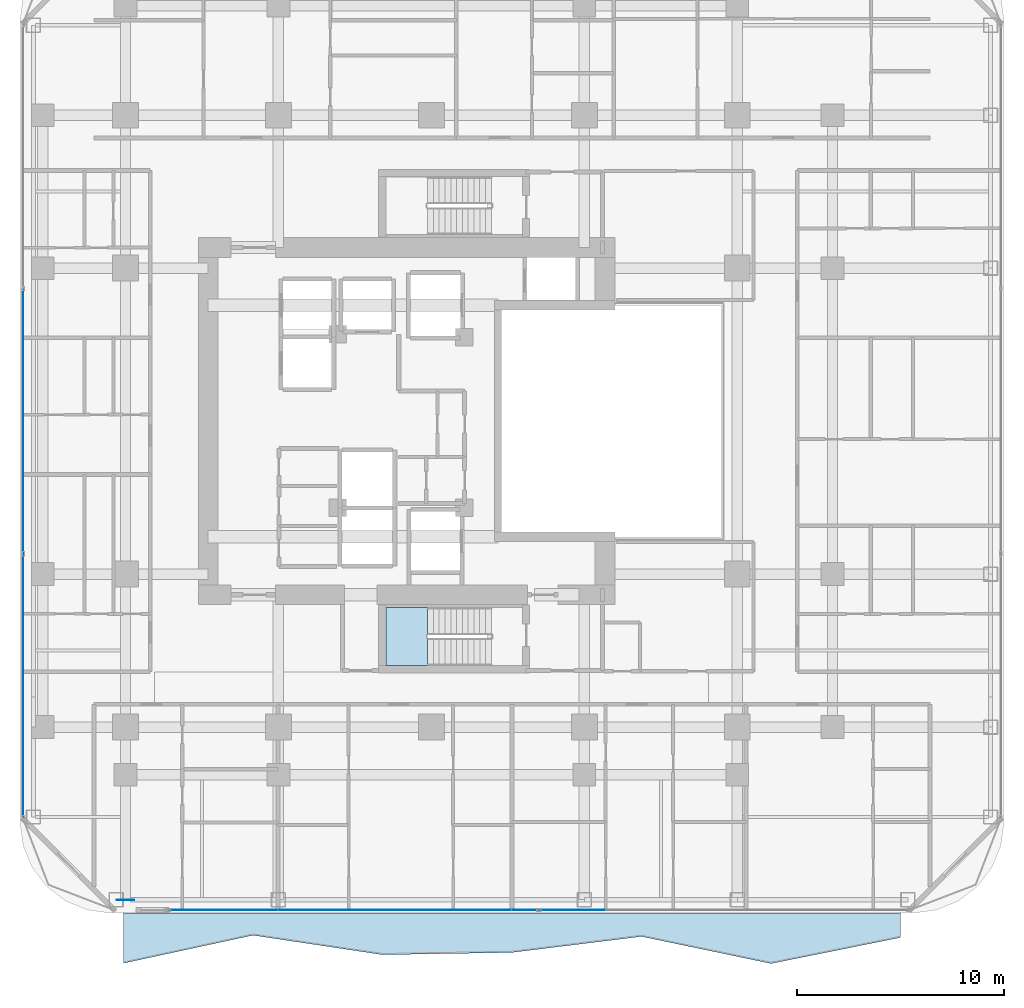
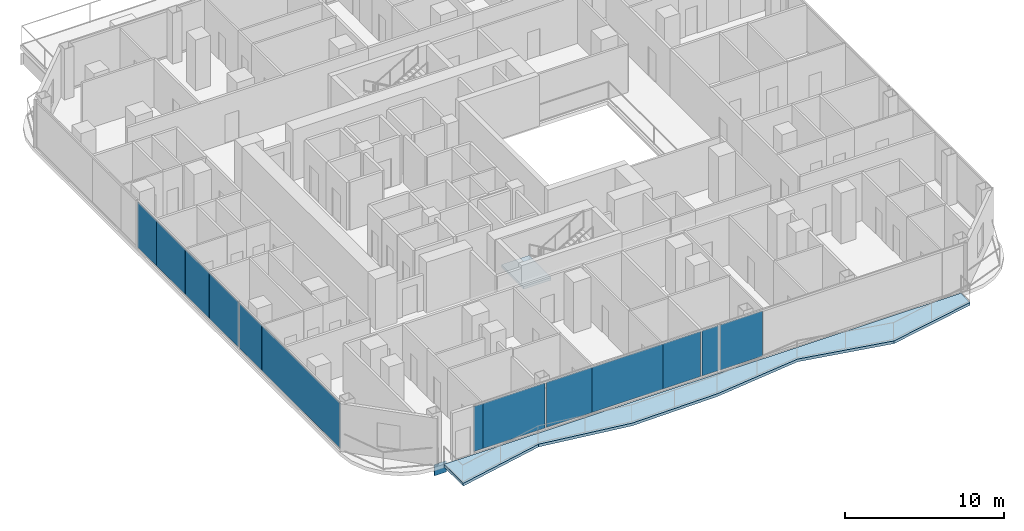
# One storey, part 19 of 29: 14 plates, 2 slabs, 3 elements without a shape of their own.
"""IFC4 building model written with IfcOpenShell, lengths in metres."""

import ifcopenshell
import ifcopenshell.guid

model = None  # the IFC model being written
_history = None  # IfcOwnerHistory: only IFC2X3 demands one
_inside = {}  # id of a spatial element -> (the spatial element, [elements in it])
_under = {}  # id of a project, library or spatial element -> (it, [spatial elements below it])
_declared = {}  # id of a project -> (the project, [libraries it declares])
_typed = {}  # id of a type object -> (the type object, [elements of that type])
_made_of = {}  # id of a material, layer set ... -> (it, [elements and type objects made of it])


def new_model(schema):
    """Start an empty IFC model of exactly this schema.

    Asked for "IFC4X3", IfcOpenShell would pick the latest addendum, in which some entities
    have other attributes; the version numbers below select the first issue.
    IFC2X3 requires an IfcOwnerHistory on every rooted entity: one is made here for all.
    """
    global model, _history
    if schema == "IFC4X3":
        model = ifcopenshell.file(schema_version=(4, 3, 0, 0))
    else:
        model = ifcopenshell.file(schema=schema)
    _inside.clear()
    _under.clear()
    _declared.clear()
    _typed.clear()
    _made_of.clear()
    _history = None
    if model.schema == "IFC2X3":
        org = make("IfcOrganization", Name="unknown")
        user = make(
            "IfcPersonAndOrganization",
            ThePerson=make("IfcPerson", FamilyName="unknown"),
            TheOrganization=org,
        )
        app = make(
            "IfcApplication",
            ApplicationDeveloper=org,
            Version="unknown",
            ApplicationFullName="unknown",
            ApplicationIdentifier="unknown",
        )
        _history = make(
            "IfcOwnerHistory",
            OwningUser=user,
            OwningApplication=app,
            ChangeAction="ADDED",
            CreationDate=0,
        )
    return model


def make(cls, **values):
    """One entity of the class cls with the attributes given. An attribute that is None is left unset."""
    return model.create_entity(
        cls, **{name: value for name, value in values.items() if value is not None}
    )


def rooted(cls, **values):
    """An entity with a GlobalId (a new one), such as an element, a storey or a relation."""
    return make(cls, GlobalId=ifcopenshell.guid.new(), OwnerHistory=_history, **values)


def si_unit(unit_type, name, prefix=None):
    """IfcSIUnit, for example si_unit("LENGTHUNIT", "METRE", prefix="MILLI")."""
    return make("IfcSIUnit", UnitType=unit_type, Prefix=prefix, Name=name)


def assignment(units):
    """IfcUnitAssignment: the units of a project."""
    return None if units is None else make("IfcUnitAssignment", Units=units)


def point(xyz):
    """IfcCartesianPoint."""
    return None if xyz is None else make("IfcCartesianPoint", Coordinates=xyz)


def direction(xyz):
    """IfcDirection."""
    return None if xyz is None else make("IfcDirection", DirectionRatios=xyz)


def frame(location, z_axis=None, x_axis=None):
    """IfcAxis2Placement3D, a coordinate frame: its origin and axes. An axis left out is left unset."""
    return make(
        "IfcAxis2Placement3D",
        Location=point(location),
        Axis=direction(z_axis),
        RefDirection=direction(x_axis),
    )


def frame_2d(location, x_axis=None):
    """IfcAxis2Placement2D, a coordinate frame in the plane: its origin and x axis."""
    return make(
        "IfcAxis2Placement2D", Location=point(location), RefDirection=direction(x_axis)
    )


def origin():
    """The frame at (0, 0, 0) with its axes left unset."""
    return frame((0.0, 0.0, 0.0))


def origin_2d():
    """The frame at (0, 0) in the plane with its x axis left unset."""
    return frame_2d((0.0, 0.0))


def place(relative_to, where):
    """IfcLocalPlacement: puts the frame where relative to a parent placement (None: the world)."""
    return make(
        "IfcLocalPlacement", PlacementRelTo=relative_to, RelativePlacement=where
    )


def context(
    kind, dimensions, precision=None, world=None, true_north=None, identifier=None
):
    """IfcGeometricRepresentationContext, for example the 3D "Model" context."""
    return make(
        "IfcGeometricRepresentationContext",
        ContextIdentifier=identifier,
        ContextType=kind,
        CoordinateSpaceDimension=dimensions,
        Precision=precision,
        WorldCoordinateSystem=world,
        TrueNorth=true_north,
    )


def subcontext(parent, identifier, kind, view, scale=None):
    """IfcGeometricRepresentationSubContext, for example "Body" below "Model"."""
    return make(
        "IfcGeometricRepresentationSubContext",
        ContextIdentifier=identifier,
        ContextType=kind,
        ParentContext=parent,
        TargetScale=scale,
        TargetView=view,
    )


def project(units=None, contexts=None):
    """IfcProject with its units and contexts."""
    return rooted(
        "IfcProject",
        Name="project",
        RepresentationContexts=contexts,
        UnitsInContext=assignment(units),
    )


def spatial(cls, under=None, at=None, **own):
    """A site, building, storey or space (cls), placed at a placement, below another one or the project."""
    s = rooted(cls, ObjectPlacement=at, **own)
    if under is not None:
        _under.setdefault(under.id(), (under, []))[1].append(s)
    return s


def polyline(points):
    """IfcPolyline through the points."""
    return make("IfcPolyline", Points=[point(p) for p in points])


def profile(cls, at=None, kind="AREA", **sizes):
    """A parametric profile (cls). Its sizes go by their IFC names, for example OverallWidth=200.0."""
    return make(cls, ProfileType=kind, Position=at, **sizes)


def rectangle(**sizes):
    """IfcRectangleProfileDef."""
    return profile("IfcRectangleProfileDef", **sizes)


def outline(outer, holes=None, kind="AREA"):
    """IfcArbitraryClosedProfileDef: a profile drawn as a closed curve; with holes, ...WithVoids."""
    if holes is None:
        return make("IfcArbitraryClosedProfileDef", ProfileType=kind, OuterCurve=outer)
    return make(
        "IfcArbitraryProfileDefWithVoids",
        ProfileType=kind,
        OuterCurve=outer,
        InnerCurves=holes,
    )


def extrude(swept, where, along, depth):
    """IfcExtrudedAreaSolid: the profile swept, set in the frame where, extruded along a direction by depth."""
    return make(
        "IfcExtrudedAreaSolid",
        SweptArea=swept,
        Position=where,
        ExtrudedDirection=direction(along),
        Depth=depth,
    )


def shape(context_of_items, identifier, shape_type, items):
    """IfcShapeRepresentation: the items that make up one representation, for example the "Body"."""
    return make(
        "IfcShapeRepresentation",
        ContextOfItems=context_of_items,
        RepresentationIdentifier=identifier,
        RepresentationType=shape_type,
        Items=items,
    )


def material(Name=None, Category=None):
    """IfcMaterial."""
    return make("IfcMaterial", Name=Name, Category=Category)


def layer(
    of_material, thickness, ventilated=None, Name=None, Category=None, Priority=None
):
    """IfcMaterialLayer: one layer of a wall or slab, of a material (None: an air gap)."""
    return make(
        "IfcMaterialLayer",
        Material=of_material,
        LayerThickness=thickness,
        IsVentilated=ventilated,
        Name=Name,
        Category=Category,
        Priority=Priority,
    )


def layer_set(layers, Name=None):
    """IfcMaterialLayerSet."""
    return make("IfcMaterialLayerSet", MaterialLayers=layers, LayerSetName=Name)


def made_of(thing, what):
    """Note that an element or type object is made of a material, layer set ...; save() writes the relation."""
    if what is not None:
        _made_of.setdefault(what.id(), (what, []))[1].append(thing)
    return thing


def type_object(cls, material=None, **own):
    """A type object (cls), such as IfcWallType, which elements share."""
    return made_of(rooted(cls, **own), material)


def element(
    cls,
    number,
    at=None,
    inside=None,
    cuts=None,
    type_object=None,
    material=None,
    context=None,
    identifier="Body",
    shape_type=None,
    held_by="IfcProductDefinitionShape",
    body=None,
    shapes=None,
    **own,
):
    """One element of the class cls, such as IfcWall. Its Tag is "e" and its number.

    at: its placement. inside: the storey or other place that contains it. cuts: it is an
    opening in that element (IfcRelVoidsElement). A single representation is given by context,
    identifier, shape_type and body (its items); several are given by shapes. held_by: the class
    of the entity that holds the representations. save() writes the other relations.
    """
    e = rooted(cls, Tag="e%d" % number, ObjectPlacement=at, **own)
    if body is not None:
        shapes = [shape(context, identifier, shape_type, body)]
    if shapes is not None:
        e.Representation = make(held_by, Representations=shapes)
    if inside is not None:
        _inside.setdefault(inside.id(), (inside, []))[1].append(e)
    if cuts is not None:
        rooted(
            "IfcRelVoidsElement", RelatingBuildingElement=cuts, RelatedOpeningElement=e
        )
    if type_object is not None:
        _typed.setdefault(type_object.id(), (type_object, []))[1].append(e)
    return made_of(e, material)


def aggregate(whole, parts):
    """IfcRelAggregates: a whole, such as a stair, and the parts it consists of."""
    return rooted("IfcRelAggregates", RelatingObject=whole, RelatedObjects=parts)


def save(model, path):
    """Write the relations noted so far, then the file.

    IfcRelAggregates (storeys below a building ...), IfcRelContainedInSpatialStructure (elements
    in a storey), IfcRelDefinesByType, IfcRelAssociatesMaterial and IfcRelDeclares: one each for
    every whole, place, type object, material and project.
    """
    for whole, parts in _under.values():
        aggregate(whole, parts)
    for where, things in _inside.values():
        rooted(
            "IfcRelContainedInSpatialStructure",
            RelatedElements=things,
            RelatingStructure=where,
        )
    for kind, things in _typed.values():
        rooted("IfcRelDefinesByType", RelatedObjects=things, RelatingType=kind)
    for what, things in _made_of.values():
        rooted("IfcRelAssociatesMaterial", RelatedObjects=things, RelatingMaterial=what)
    for by, libraries in _declared.values():
        rooted("IfcRelDeclares", RelatingContext=by, RelatedDefinitions=libraries)
    model.write(path)


model = new_model("IFC4")

# Units and contexts
model_context = context("Model", 3, precision=1e-05, world=origin(), true_north=direction((0.0, 1.0)))
body_context = subcontext(model_context, "Body", "Model", "MODEL_VIEW")
ifc_project = project(units=[si_unit("LENGTHUNIT", "METRE"), si_unit("AREAUNIT", "SQUARE_METRE"), si_unit("VOLUMEUNIT", "CUBIC_METRE"), si_unit("PLANEANGLEUNIT", "RADIAN"), si_unit("MASSUNIT", "GRAM", prefix="KILO")], contexts=[model_context])

# Site, building, storey
site_placement = place(None, origin())
site = spatial("IfcSite", under=ifc_project, at=site_placement, CompositionType="ELEMENT")
building_placement = place(site_placement, origin())
building = spatial("IfcBuilding", under=site, at=building_placement, Name="Khorvyn Point Tower", CompositionType="ELEMENT")
storey_placement = place(building_placement, frame((0.0, 0.0, 136.800048828125)))
storey = spatial("IfcBuildingStorey", under=building, at=storey_placement, Name="L34", CompositionType="ELEMENT", Elevation=136.800048828125)

# Slab
ifc_material_1 = material(Name="Concrete C40/50", Category="concrete")
ifc_layer_1 = layer(ifc_material_1, 0.2099609375)
ifc_layer_set_1 = layer_set([ifc_layer_1], Name="Concrete C40/50 Rippling Balcony Slab 210")
slab_type_1 = type_object("IfcSlabType", Name="Concrete C40/50 Rippling Balcony Slab 210", PredefinedType="USERDEFINED", material=ifc_layer_set_1)
slab_1_placement = place(storey_placement, frame((0.0, 0.0, -0.2099609375)))
element("IfcSlab", 1, at=slab_1_placement, inside=storey, type_object=slab_type_1, Name="L34 South Sinusoidal Rippling Balcony", ObjectType="BALCONY", PredefinedType="USERDEFINED", context=body_context, shape_type="SweptSolid", body=[
    extrude(outline(polyline([(-14.89990234375, -23.800048828125), (-14.89990234375, -26.226806640625), (-8.63330078125, -24.87158203125), (-2.36669921875, -25.8125), (3.89990234375, -25.705078125), (10.166748046875, -24.930908203125), (16.433349609375, -26.241455078125), (22.699951171875, -24.978759765625), (22.699951171875, -23.800048828125), (-14.89990234375, -23.800048828125)])), origin(), (0.0, 0.0, 1.0), 0.2099609375),
])

# Stair, slab
stair_type = type_object("IfcStairType", Name="Tower Concrete C40/50 Dogleg Exit Stair", PredefinedType="HALF_TURN_STAIR", material=ifc_material_1)
stair_placement = place(storey_placement, origin())
stair = element("IfcStair", 2, at=stair_placement, inside=storey, type_object=stair_type, Name="L34 Tower Smokeproof Exit Stair South", PredefinedType="HALF_TURN_STAIR")
ifc_layer_2 = layer(ifc_material_1, 0.199951171875)
ifc_layer_set_2 = layer_set([ifc_layer_2], Name="Concrete C40/50 Stair Landing Slab 200")
slab_type_2 = type_object("IfcSlabType", Name="Concrete C40/50 Stair Landing Slab 200", PredefinedType="LANDING", material=ifc_layer_set_2)
slab_2_placement = place(storey_placement, frame((0.0, 0.0, 1.75)))
slab_2 = element("IfcSlab", 3, at=slab_2_placement, type_object=slab_type_2, Name="ST-01 landing 1", PredefinedType="LANDING", context=body_context, shape_type="SweptSolid", body=[
    extrude(outline(polyline([(-0.179931640625, -9.02001953125), (-2.199951171875, -9.02001953125), (-2.199951171875, -11.820068359375), (-0.179931640625, -11.820068359375), (-0.179931640625, -9.02001953125)])), origin(), (0.0, 0.0, 1.0), 0.199951171875),
])
aggregate(stair, [slab_2])

# Plate
ifc_material_2 = material(Name="Steel S450", Category="steel")
ifc_layer_3 = layer(ifc_material_2, 0.031982421875)
ifc_layer_set_3 = layer_set([ifc_layer_3], Name="Steel S450 Exoskeleton End Cap Plate 32")
plate_type_1 = type_object("IfcPlateType", Name="Steel S450 Exoskeleton End Cap Plate 32", PredefinedType="USERDEFINED", material=ifc_layer_set_3)
plate_1_placement = place(storey_placement, frame((-14.800048828125, -23.159912109375, -1.16015625), z_axis=(0.0, 0.0, 1.0), x_axis=(1.0, 0.0, 0.0)))
element("IfcPlate", 4, at=plate_1_placement, inside=storey, type_object=plate_type_1, Name="Plate", ObjectType="GUSSET", PredefinedType="USERDEFINED", context=body_context, shape_type="SweptSolid", body=[
    extrude(rectangle(XDim=0.860107421875, YDim=0.031982421875, at=origin_2d()), origin(), (0.0, 0.0, 1.0), 0.860107421875),
])

# Curtain wall, plates
ifc_material_3 = material(Name="Anodised aluminium 6063-T6 and laminated Low-E glass", Category="aluminium")
ifc_layer_4 = layer(ifc_material_3, 0.18994140625)
ifc_layer_set_4 = layer_set([ifc_layer_4], Name="Stick-Built Acoustic Curtain Wall CW-SYS-03")
curtain_wall_type = type_object("IfcCurtainWallType", Name="Stick-Built Acoustic Curtain Wall CW-SYS-03", PredefinedType="NOTDEFINED", material=ifc_layer_set_4)
curtain_wall_1_placement = place(storey_placement, origin())
curtain_wall_1 = element("IfcCurtainWall", 5, at=curtain_wall_1_placement, inside=storey, type_object=curtain_wall_type, Name="Curtain Wall", PredefinedType="NOTDEFINED")
ifc_material_4 = material(Name="Laminated Low-E insulated glass", Category="glass")
ifc_layer_5 = layer(ifc_material_4, 0.028076171875)
ifc_layer_set_5 = layer_set([ifc_layer_5], Name="Tempered Low-E Vision Glazing Panel CW-GL28")
plate_type_2 = type_object("IfcPlateType", Name="Tempered Low-E Vision Glazing Panel CW-GL28", PredefinedType="CURTAIN_PANEL", material=ifc_layer_set_5)
plate_2_placement = place(storey_placement, frame((6.8046875, -23.64990234375, 0.099853515625), z_axis=(0.0, 0.0, 1.0), x_axis=(-1.0, 0.0, 0.0)))
plate_2 = element("IfcPlate", 6, at=plate_2_placement, type_object=plate_type_2, Name="Panel", PredefinedType="CURTAIN_PANEL", context=body_context, shape_type="SweptSolid", body=[
    extrude(rectangle(XDim=3.12060546875, YDim=0.028076171875, at=origin_2d()), origin(), (0.0, 0.0, 1.0), 3.47998046875),
])
plate_3_placement = place(storey_placement, frame((-12.3291015625, -23.64990234375, 0.099853515625), z_axis=(0.0, 0.0, 1.0), x_axis=(-1.0, 0.0, 0.0)))
plate_3 = element("IfcPlate", 7, at=plate_3_placement, type_object=plate_type_2, Name="Panel", PredefinedType="CURTAIN_PANEL", context=body_context, shape_type="SweptSolid", body=[
    extrude(rectangle(XDim=0.672119140625, YDim=0.028076171875, at=origin_2d()), origin(), (0.0, 0.0, 1.0), 3.47998046875),
])
plate_4_placement = place(storey_placement, frame((-9.736083984375, -23.64990234375, 0.099853515625), z_axis=(0.0, 0.0, 1.0), x_axis=(-1.0, 0.0, 0.0)))
plate_4 = element("IfcPlate", 8, at=plate_4_placement, type_object=plate_type_2, Name="Panel", PredefinedType="CURTAIN_PANEL", context=body_context, shape_type="SweptSolid", body=[
    extrude(rectangle(XDim=4.498046875, YDim=0.028076171875, at=origin_2d()), origin(), (0.0, 0.0, 1.0), 3.47998046875),
])
plate_5_placement = place(storey_placement, frame((-5.7119140625, -23.64990234375, 0.099853515625), z_axis=(0.0, 0.0, 1.0), x_axis=(-1.0, 0.0, 0.0)))
plate_5 = element("IfcPlate", 9, at=plate_5_placement, type_object=plate_type_2, Name="Panel", PredefinedType="CURTAIN_PANEL", context=body_context, shape_type="SweptSolid", body=[
    extrude(rectangle(XDim=3.2939453125, YDim=0.028076171875, at=origin_2d()), origin(), (0.0, 0.0, 1.0), 3.47998046875),
])
plate_6_placement = place(storey_placement, frame((-1.4755859375, -23.64990234375, 0.099853515625), z_axis=(0.0, 0.0, 1.0), x_axis=(-1.0, 0.0, 0.0)))
plate_6 = element("IfcPlate", 10, at=plate_6_placement, type_object=plate_type_2, Name="Panel", PredefinedType="CURTAIN_PANEL", context=body_context, shape_type="SweptSolid", body=[
    extrude(rectangle(XDim=5.1630859375, YDim=0.028076171875, at=origin_2d()), origin(), (0.0, 0.0, 1.0), 3.47998046875),
])
plate_7_placement = place(storey_placement, frame((2.47509765625, -23.64990234375, 0.099853515625), z_axis=(0.0, 0.0, 1.0), x_axis=(-1.0, 0.0, 0.0)))
plate_7 = element("IfcPlate", 11, at=plate_7_placement, type_object=plate_type_2, Name="Panel", PredefinedType="CURTAIN_PANEL", context=body_context, shape_type="SweptSolid", body=[
    extrude(rectangle(XDim=2.721923828125, YDim=0.028076171875, at=origin_2d()), origin(), (0.0, 0.0, 1.0), 3.47998046875),
])
plate_8_placement = place(storey_placement, frame((4.55029296875, -23.64990234375, 0.099853515625), z_axis=(0.0, 0.0, 1.0), x_axis=(-1.0, 0.0, 0.0)))
plate_8 = element("IfcPlate", 12, at=plate_8_placement, type_object=plate_type_2, Name="Panel", PredefinedType="CURTAIN_PANEL", context=body_context, shape_type="SweptSolid", body=[
    extrude(rectangle(XDim=1.172607421875, YDim=0.028076171875, at=origin_2d()), origin(), (0.0, 0.0, 1.0), 3.47998046875),
])
aggregate(curtain_wall_1, [plate_2, plate_3, plate_4, plate_5, plate_6, plate_7, plate_8])

curtain_wall_2_placement = place(storey_placement, origin())
curtain_wall_2 = element("IfcCurtainWall", 13, at=curtain_wall_2_placement, inside=storey, type_object=curtain_wall_type, Name="Curtain Wall", PredefinedType="NOTDEFINED")
plate_9_placement = place(storey_placement, frame((-19.75, -14.205078125, 0.099853515625), z_axis=(0.0, 0.0, 1.0), x_axis=(0.0, 1.0, 0.0)))
plate_9 = element("IfcPlate", 14, at=plate_9_placement, type_object=plate_type_2, Name="Panel", PredefinedType="CURTAIN_PANEL", context=body_context, shape_type="SweptSolid", body=[
    extrude(rectangle(XDim=9.882080078125, YDim=0.028076171875, at=origin_2d()), origin(), (0.0, 0.0, 1.0), 3.47998046875),
])
plate_10_placement = place(storey_placement, frame((-19.75, -7.86328125, 0.099853515625), z_axis=(0.0, 0.0, 1.0), x_axis=(0.0, 1.0, 0.0)))
plate_10 = element("IfcPlate", 15, at=plate_10_placement, type_object=plate_type_2, Name="Panel", PredefinedType="CURTAIN_PANEL", context=body_context, shape_type="SweptSolid", body=[
    extrude(rectangle(XDim=2.785400390625, YDim=0.028076171875, at=origin_2d()), origin(), (0.0, 0.0, 1.0), 3.47998046875),
])
plate_11_placement = place(storey_placement, frame((-19.75, -4.50634765625, 0.099853515625), z_axis=(0.0, 0.0, 1.0), x_axis=(0.0, 1.0, 0.0)))
plate_11 = element("IfcPlate", 16, at=plate_11_placement, type_object=plate_type_2, Name="Panel", PredefinedType="CURTAIN_PANEL", context=body_context, shape_type="SweptSolid", body=[
    extrude(rectangle(XDim=3.712646484375, YDim=0.028076171875, at=origin_2d()), origin(), (0.0, 0.0, 1.0), 3.47998046875),
])
plate_12_placement = place(storey_placement, frame((-19.75, -1.135986328125, 0.099853515625), z_axis=(0.0, 0.0, 1.0), x_axis=(0.0, 1.0, 0.0)))
plate_12 = element("IfcPlate", 17, at=plate_12_placement, type_object=plate_type_2, Name="Panel", PredefinedType="CURTAIN_PANEL", context=body_context, shape_type="SweptSolid", body=[
    extrude(rectangle(XDim=3.011962890625, YDim=0.028076171875, at=origin_2d()), origin(), (0.0, 0.0, 1.0), 3.47998046875),
])
plate_13_placement = place(storey_placement, frame((-19.75, 2.177001953125, 0.099853515625), z_axis=(0.0, 0.0, 1.0), x_axis=(0.0, 1.0, 0.0)))
plate_13 = element("IfcPlate", 18, at=plate_13_placement, type_object=plate_type_2, Name="Panel", PredefinedType="CURTAIN_PANEL", context=body_context, shape_type="SweptSolid", body=[
    extrude(rectangle(XDim=3.597900390625, YDim=0.028076171875, at=origin_2d()), origin(), (0.0, 0.0, 1.0), 3.47998046875),
])
plate_14_placement = place(storey_placement, frame((-19.75, 5.17333984375, 0.099853515625), z_axis=(0.0, 0.0, 1.0), x_axis=(0.0, 1.0, 0.0)))
plate_14 = element("IfcPlate", 19, at=plate_14_placement, type_object=plate_type_2, Name="Panel", PredefinedType="CURTAIN_PANEL", context=body_context, shape_type="SweptSolid", body=[
    extrude(rectangle(XDim=2.378662109375, YDim=0.028076171875, at=origin_2d()), origin(), (0.0, 0.0, 1.0), 3.47998046875),
])
aggregate(curtain_wall_2, [plate_9, plate_10, plate_11, plate_12, plate_13, plate_14])

save(model, "model.ifc")
